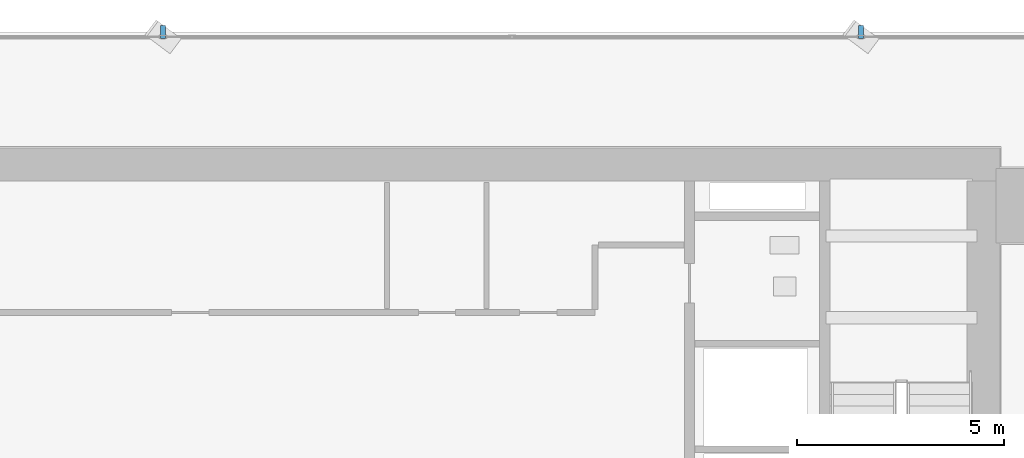
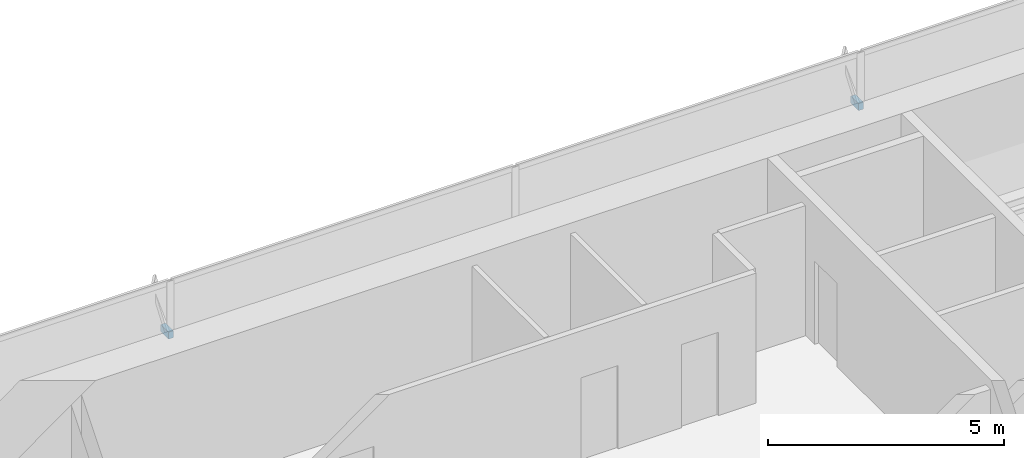
# One storey, part 27 of 32: 2 discrete accessories.
"""IFC4 building model written with IfcOpenShell, lengths in metres."""

from ifc_helpers import new_model, si_unit, direction, frame, origin, origin_2d, place, context, subcontext, project, spatial, rectangle, extrude, source, transform, mapped, material, material_profile, profile_set, type_object, element, save


model = new_model("IFC4")

# Units and contexts
model_context = context("Model", 3, precision=1e-05, world=origin(), true_north=direction((0.0, 1.0)))
body_context = subcontext(model_context, "Body", "Model", "MODEL_VIEW")
ifc_project = project(units=[si_unit("LENGTHUNIT", "METRE"), si_unit("AREAUNIT", "SQUARE_METRE"), si_unit("VOLUMEUNIT", "CUBIC_METRE"), si_unit("PLANEANGLEUNIT", "RADIAN"), si_unit("MASSUNIT", "GRAM", prefix="KILO")], contexts=[model_context])

# Site, building, storey
site_placement = place(None, origin())
site = spatial("IfcSite", under=ifc_project, at=site_placement, CompositionType="ELEMENT")
building_placement = place(site_placement, origin())
building = spatial("IfcBuilding", under=site, at=building_placement, Name="Sumidabori Civic Tower", CompositionType="ELEMENT")
storey_placement = place(building_placement, frame((0.0, 0.0, 52.39990234375)))
storey = spatial("IfcBuildingStorey", under=building, at=storey_placement, Name="L13", CompositionType="ELEMENT", Elevation=52.39990234375)

# Discrete accessories
ifc_material = material(Name="Stainless Steel Hairline Finish", Category="steel")
ifc_material_profile = material_profile(ifc_material, rectangle(XDim=0.1201171875, YDim=0.179931640625, at=origin_2d()), Name="STEEL BRACKET 180x120")
ifc_profile_set = profile_set([ifc_material_profile], Name="Stainless Steel Hairline Finish")
discrete_accessory_type = type_object("IfcDiscreteAccessoryType", Name="AC-BRK-180", PredefinedType="BRACKET", material=ifc_profile_set)
shared_shape = source(origin(), body_context, "Body", "SweptSolid", [
    extrude(rectangle(XDim=0.1201171875, YDim=0.179931640625, at=origin_2d()), origin(), (0.0, 0.0, 1.0), 0.329833984375),
])
for number, where, z_axis, x_axis, name in (
    (1, (12.64208984375, 26.830078125, 1.360107421875), (0.0, 1.0, 0.0), (-1.0, 0.0, 0.0), "Bronze Fin Fixing Bracket L13-01"),
    (2, (-4.214111328125, 26.830078125, 1.360107421875), (0.0, 1.0, 0.0), (-1.0, 0.0, 0.0), "Bronze Fin Fixing Bracket L13-03"),
):
    element("IfcDiscreteAccessory", number, at=place(storey_placement, frame(where, z_axis=z_axis, x_axis=x_axis)), inside=storey, type_object=discrete_accessory_type, Name=name, PredefinedType="BRACKET", context=body_context, shape_type="MappedRepresentation", body=[
        mapped(shared_shape, transform((0.0, 0.0, 0.0), x_axis=(1.0, 0.0, 0.0), y_axis=(0.0, 1.0, 0.0), z_axis=(0.0, 0.0, 1.0), scale=1.0)),
    ])

save(model, "model.ifc")
